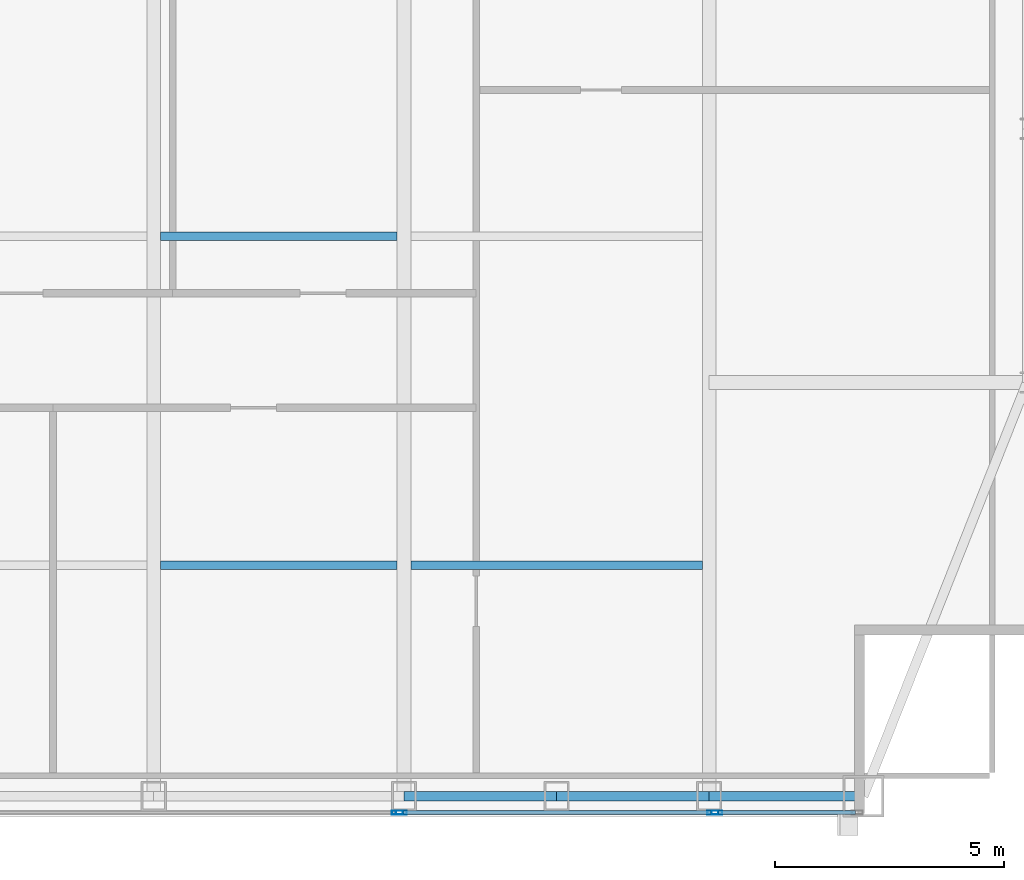
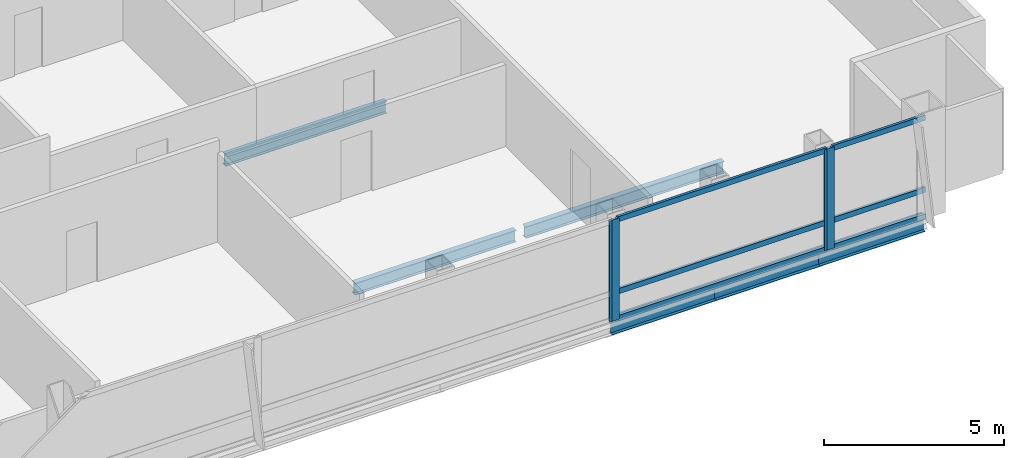
# One storey, part 11 of 25: 10 members, 6 beams, 3 elements without a shape of their own.
"""IFC4 building model written with IfcOpenShell, lengths in metres."""

import ifcopenshell
import ifcopenshell.guid

model = None  # the IFC model being written
_history = None  # IfcOwnerHistory: only IFC2X3 demands one
_inside = {}  # id of a spatial element -> (the spatial element, [elements in it])
_under = {}  # id of a project, library or spatial element -> (it, [spatial elements below it])
_declared = {}  # id of a project -> (the project, [libraries it declares])
_typed = {}  # id of a type object -> (the type object, [elements of that type])
_made_of = {}  # id of a material, layer set ... -> (it, [elements and type objects made of it])


def new_model(schema):
    """Start an empty IFC model of exactly this schema.

    Asked for "IFC4X3", IfcOpenShell would pick the latest addendum, in which some entities
    have other attributes; the version numbers below select the first issue.
    IFC2X3 requires an IfcOwnerHistory on every rooted entity: one is made here for all.
    """
    global model, _history
    if schema == "IFC4X3":
        model = ifcopenshell.file(schema_version=(4, 3, 0, 0))
    else:
        model = ifcopenshell.file(schema=schema)
    _inside.clear()
    _under.clear()
    _declared.clear()
    _typed.clear()
    _made_of.clear()
    _history = None
    if model.schema == "IFC2X3":
        org = make("IfcOrganization", Name="unknown")
        user = make(
            "IfcPersonAndOrganization",
            ThePerson=make("IfcPerson", FamilyName="unknown"),
            TheOrganization=org,
        )
        app = make(
            "IfcApplication",
            ApplicationDeveloper=org,
            Version="unknown",
            ApplicationFullName="unknown",
            ApplicationIdentifier="unknown",
        )
        _history = make(
            "IfcOwnerHistory",
            OwningUser=user,
            OwningApplication=app,
            ChangeAction="ADDED",
            CreationDate=0,
        )
    return model


def make(cls, **values):
    """One entity of the class cls with the attributes given. An attribute that is None is left unset."""
    return model.create_entity(
        cls, **{name: value for name, value in values.items() if value is not None}
    )


def rooted(cls, **values):
    """An entity with a GlobalId (a new one), such as an element, a storey or a relation."""
    return make(cls, GlobalId=ifcopenshell.guid.new(), OwnerHistory=_history, **values)


def si_unit(unit_type, name, prefix=None):
    """IfcSIUnit, for example si_unit("LENGTHUNIT", "METRE", prefix="MILLI")."""
    return make("IfcSIUnit", UnitType=unit_type, Prefix=prefix, Name=name)


def assignment(units):
    """IfcUnitAssignment: the units of a project."""
    return None if units is None else make("IfcUnitAssignment", Units=units)


def point(xyz):
    """IfcCartesianPoint."""
    return None if xyz is None else make("IfcCartesianPoint", Coordinates=xyz)


def direction(xyz):
    """IfcDirection."""
    return None if xyz is None else make("IfcDirection", DirectionRatios=xyz)


def frame(location, z_axis=None, x_axis=None):
    """IfcAxis2Placement3D, a coordinate frame: its origin and axes. An axis left out is left unset."""
    return make(
        "IfcAxis2Placement3D",
        Location=point(location),
        Axis=direction(z_axis),
        RefDirection=direction(x_axis),
    )


def frame_2d(location, x_axis=None):
    """IfcAxis2Placement2D, a coordinate frame in the plane: its origin and x axis."""
    return make(
        "IfcAxis2Placement2D", Location=point(location), RefDirection=direction(x_axis)
    )


def origin():
    """The frame at (0, 0, 0) with its axes left unset."""
    return frame((0.0, 0.0, 0.0))


def origin_2d():
    """The frame at (0, 0) in the plane with its x axis left unset."""
    return frame_2d((0.0, 0.0))


def place(relative_to, where):
    """IfcLocalPlacement: puts the frame where relative to a parent placement (None: the world)."""
    return make(
        "IfcLocalPlacement", PlacementRelTo=relative_to, RelativePlacement=where
    )


def context(
    kind, dimensions, precision=None, world=None, true_north=None, identifier=None
):
    """IfcGeometricRepresentationContext, for example the 3D "Model" context."""
    return make(
        "IfcGeometricRepresentationContext",
        ContextIdentifier=identifier,
        ContextType=kind,
        CoordinateSpaceDimension=dimensions,
        Precision=precision,
        WorldCoordinateSystem=world,
        TrueNorth=true_north,
    )


def subcontext(parent, identifier, kind, view, scale=None):
    """IfcGeometricRepresentationSubContext, for example "Body" below "Model"."""
    return make(
        "IfcGeometricRepresentationSubContext",
        ContextIdentifier=identifier,
        ContextType=kind,
        ParentContext=parent,
        TargetScale=scale,
        TargetView=view,
    )


def project(units=None, contexts=None):
    """IfcProject with its units and contexts."""
    return rooted(
        "IfcProject",
        Name="project",
        RepresentationContexts=contexts,
        UnitsInContext=assignment(units),
    )


def spatial(cls, under=None, at=None, **own):
    """A site, building, storey or space (cls), placed at a placement, below another one or the project."""
    s = rooted(cls, ObjectPlacement=at, **own)
    if under is not None:
        _under.setdefault(under.id(), (under, []))[1].append(s)
    return s


def profile(cls, at=None, kind="AREA", **sizes):
    """A parametric profile (cls). Its sizes go by their IFC names, for example OverallWidth=200.0."""
    return make(cls, ProfileType=kind, Position=at, **sizes)


def hollow_rectangle(**sizes):
    """IfcRectangleHollowProfileDef."""
    return profile("IfcRectangleHollowProfileDef", **sizes)


def i_section(**sizes):
    """IfcIShapeProfileDef."""
    return profile("IfcIShapeProfileDef", **sizes)


def extrude(swept, where, along, depth):
    """IfcExtrudedAreaSolid: the profile swept, set in the frame where, extruded along a direction by depth."""
    return make(
        "IfcExtrudedAreaSolid",
        SweptArea=swept,
        Position=where,
        ExtrudedDirection=direction(along),
        Depth=depth,
    )


def shape(context_of_items, identifier, shape_type, items):
    """IfcShapeRepresentation: the items that make up one representation, for example the "Body"."""
    return make(
        "IfcShapeRepresentation",
        ContextOfItems=context_of_items,
        RepresentationIdentifier=identifier,
        RepresentationType=shape_type,
        Items=items,
    )


def material(Name=None, Category=None):
    """IfcMaterial."""
    return make("IfcMaterial", Name=Name, Category=Category)


def material_profile(
    of_material, cross_section, Name=None, Category=None, Priority=None
):
    """IfcMaterialProfile: a cross section and its material."""
    return make(
        "IfcMaterialProfile",
        Name=Name,
        Material=of_material,
        Profile=cross_section,
        Priority=Priority,
        Category=Category,
    )


def profile_set(profiles, Name=None, composite=None):
    """IfcMaterialProfileSet."""
    return make(
        "IfcMaterialProfileSet",
        Name=Name,
        MaterialProfiles=profiles,
        CompositeProfile=composite,
    )


def made_of(thing, what):
    """Note that an element or type object is made of a material, layer set ...; save() writes the relation."""
    if what is not None:
        _made_of.setdefault(what.id(), (what, []))[1].append(thing)
    return thing


def type_object(cls, material=None, **own):
    """A type object (cls), such as IfcWallType, which elements share."""
    return made_of(rooted(cls, **own), material)


def element(
    cls,
    number,
    at=None,
    inside=None,
    cuts=None,
    type_object=None,
    material=None,
    context=None,
    identifier="Body",
    shape_type=None,
    held_by="IfcProductDefinitionShape",
    body=None,
    shapes=None,
    **own,
):
    """One element of the class cls, such as IfcWall. Its Tag is "e" and its number.

    at: its placement. inside: the storey or other place that contains it. cuts: it is an
    opening in that element (IfcRelVoidsElement). A single representation is given by context,
    identifier, shape_type and body (its items); several are given by shapes. held_by: the class
    of the entity that holds the representations. save() writes the other relations.
    """
    e = rooted(cls, Tag="e%d" % number, ObjectPlacement=at, **own)
    if body is not None:
        shapes = [shape(context, identifier, shape_type, body)]
    if shapes is not None:
        e.Representation = make(held_by, Representations=shapes)
    if inside is not None:
        _inside.setdefault(inside.id(), (inside, []))[1].append(e)
    if cuts is not None:
        rooted(
            "IfcRelVoidsElement", RelatingBuildingElement=cuts, RelatedOpeningElement=e
        )
    if type_object is not None:
        _typed.setdefault(type_object.id(), (type_object, []))[1].append(e)
    return made_of(e, material)


def aggregate(whole, parts):
    """IfcRelAggregates: a whole, such as a stair, and the parts it consists of."""
    return rooted("IfcRelAggregates", RelatingObject=whole, RelatedObjects=parts)


def save(model, path):
    """Write the relations noted so far, then the file.

    IfcRelAggregates (storeys below a building ...), IfcRelContainedInSpatialStructure (elements
    in a storey), IfcRelDefinesByType, IfcRelAssociatesMaterial and IfcRelDeclares: one each for
    every whole, place, type object, material and project.
    """
    for whole, parts in _under.values():
        aggregate(whole, parts)
    for where, things in _inside.values():
        rooted(
            "IfcRelContainedInSpatialStructure",
            RelatedElements=things,
            RelatingStructure=where,
        )
    for kind, things in _typed.values():
        rooted("IfcRelDefinesByType", RelatedObjects=things, RelatingType=kind)
    for what, things in _made_of.values():
        rooted("IfcRelAssociatesMaterial", RelatedObjects=things, RelatingMaterial=what)
    for by, libraries in _declared.values():
        rooted("IfcRelDeclares", RelatingContext=by, RelatedDefinitions=libraries)
    model.write(path)


model = new_model("IFC4")

# Units and contexts
model_context = context("Model", 3, precision=1e-05, world=origin(), true_north=direction((0.0, 1.0)))
body_context = subcontext(model_context, "Body", "Model", "MODEL_VIEW")
ifc_project = project(units=[si_unit("LENGTHUNIT", "METRE"), si_unit("AREAUNIT", "SQUARE_METRE"), si_unit("VOLUMEUNIT", "CUBIC_METRE"), si_unit("PLANEANGLEUNIT", "RADIAN"), si_unit("MASSUNIT", "GRAM", prefix="KILO")], contexts=[model_context])

# Site, building, storey
site_placement = place(None, origin())
site = spatial("IfcSite", under=ifc_project, at=site_placement, CompositionType="ELEMENT")
building_placement = place(site_placement, origin())
building = spatial("IfcBuilding", under=site, at=building_placement, Name="Khoronbel Lancet Exchange", CompositionType="ELEMENT")
storey_placement = place(building_placement, frame((0.0, 0.0, 295.0)))
storey = spatial("IfcBuildingStorey", under=building, at=storey_placement, Name="L76", CompositionType="ELEMENT", Elevation=295.0)

# Beams
ifc_material_1 = material(Name="Steel S355", Category="steel")
ifc_material_profile_1 = material_profile(ifc_material_1, i_section(OverallWidth=0.179931640625, OverallDepth=0.39990234375, WebThickness=0.008544921875, FlangeThickness=0.013427734375, at=origin_2d()), Name="IPE 400")
ifc_profile_set_1 = profile_set([ifc_material_profile_1], Name="Steel S355")
beam_type_1 = type_object("IfcBeamType", Name="BM-BJ5", PredefinedType="JOIST", material=ifc_profile_set_1)
beam_1_placement = place(storey_placement, frame((42.675048828125, 15.199951171875, -0.360107421875), z_axis=(1.0, 0.0, 0.0), x_axis=(0.0, 1.0, 0.0)))
element("IfcBeam", 1, at=beam_1_placement, inside=storey, type_object=beam_type_1, Name="Level L76 secondary composite joist J04", PredefinedType="JOIST", context=body_context, shape_type="SweptSolid", body=[
    extrude(i_section(OverallWidth=0.179931640625, OverallDepth=0.39990234375, WebThickness=0.008544921875, FlangeThickness=0.013427734375, at=origin_2d()), origin(), (0.0, 0.0, 1.0), 5.175048828125),
])
beam_2_placement = place(storey_placement, frame((48.14990234375, 15.199951171875, -0.360107421875), z_axis=(1.0, 0.0, 0.0), x_axis=(0.0, 1.0, 0.0)))
element("IfcBeam", 2, at=beam_2_placement, inside=storey, type_object=beam_type_1, Name="Level L76 secondary composite joist J05", PredefinedType="JOIST", context=body_context, shape_type="SweptSolid", body=[
    extrude(i_section(OverallWidth=0.179931640625, OverallDepth=0.39990234375, WebThickness=0.008544921875, FlangeThickness=0.013427734375, at=origin_2d()), origin(), (0.0, 0.0, 1.0), 6.375),
])
beam_3_placement = place(storey_placement, frame((42.675048828125, 22.39990234375, -0.360107421875), z_axis=(1.0, 0.0, 0.0), x_axis=(0.0, 1.0, 0.0)))
element("IfcBeam", 3, at=beam_3_placement, inside=storey, type_object=beam_type_1, Name="Level L76 secondary composite joist J09", PredefinedType="JOIST", context=body_context, shape_type="SweptSolid", body=[
    extrude(i_section(OverallWidth=0.179931640625, OverallDepth=0.39990234375, WebThickness=0.008544921875, FlangeThickness=0.013427734375, at=origin_2d()), origin(), (0.0, 0.0, 1.0), 5.175048828125),
])
ifc_material_profile_2 = material_profile(ifc_material_1, i_section(OverallWidth=0.2099609375, OverallDepth=0.550048828125, WebThickness=0.010986328125, FlangeThickness=0.01708984375, at=origin_2d()), Name="IPE 550")
ifc_profile_set_2 = profile_set([ifc_material_profile_2], Name="Steel S355")
beam_type_2 = type_object("IfcBeamType", Name="BM-BSP3", PredefinedType="SPANDREL", material=ifc_profile_set_2)
beam_4_placement = place(storey_placement, frame((48.0, 10.14990234375, -0.43505859375), z_axis=(1.0, 0.0, 0.0), x_axis=(0.0, 1.0, 0.0)))
element("IfcBeam", 4, at=beam_4_placement, inside=storey, type_object=beam_type_2, Name="Level L76 perimeter spandrel beam SP07", PredefinedType="SPANDREL", context=body_context, shape_type="SweptSolid", body=[
    extrude(i_section(OverallWidth=0.2099609375, OverallDepth=0.550048828125, WebThickness=0.010986328125, FlangeThickness=0.01708984375, at=origin_2d()), origin(), (0.0, 0.0, 1.0), 3.33740234375),
])
beam_5_placement = place(storey_placement, frame((51.33740234375, 10.14990234375, -0.43505859375), z_axis=(1.0, 0.0, 0.0), x_axis=(0.0, 1.0, 0.0)))
element("IfcBeam", 5, at=beam_5_placement, inside=storey, type_object=beam_type_2, Name="Level L76 perimeter spandrel beam SP08", PredefinedType="SPANDREL", context=body_context, shape_type="SweptSolid", body=[
    extrude(i_section(OverallWidth=0.2099609375, OverallDepth=0.550048828125, WebThickness=0.010986328125, FlangeThickness=0.01708984375, at=origin_2d()), origin(), (0.0, 0.0, 1.0), 3.337646484375),
])
beam_6_placement = place(storey_placement, frame((54.675048828125, 10.14990234375, -0.43505859375), z_axis=(1.0, 0.0, 0.0), x_axis=(0.0, 1.0, 0.0)))
element("IfcBeam", 6, at=beam_6_placement, inside=storey, type_object=beam_type_2, Name="Level L76 perimeter spandrel beam SP09", PredefinedType="SPANDREL", context=body_context, shape_type="SweptSolid", body=[
    extrude(i_section(OverallWidth=0.2099609375, OverallDepth=0.550048828125, WebThickness=0.010986328125, FlangeThickness=0.01708984375, at=origin_2d()), origin(), (0.0, 0.0, 1.0), 3.375),
])

# Curtain wall, member
ifc_material_2 = material(Name="Low-E Solar Control Insulating Glass", Category="glass")
curtain_wall_type = type_object("IfcCurtainWallType", Name="CW-3", PredefinedType="NOTDEFINED", material=ifc_material_2)
curtain_wall_1_placement = place(storey_placement, origin())
curtain_wall_1 = element("IfcCurtainWall", 7, at=curtain_wall_1_placement, inside=storey, type_object=curtain_wall_type, Name="Unitised curtain wall CW-L76-SCV", PredefinedType="NOTDEFINED")
ifc_material_3 = material(Name="Bronze-Anodised Aluminium 6063-T6", Category="aluminium")
ifc_material_profile_3 = material_profile(ifc_material_3, hollow_rectangle(XDim=0.0849609375, YDim=0.239990234375, WallThickness=0.006103515625, at=origin_2d()), Name="ALU MULLION 85x240")
ifc_profile_set_3 = profile_set([ifc_material_profile_3], Name="Bronze-Anodised Aluminium 6063-T6")
member_type_1 = type_object("IfcMemberType", Name="MEM-CWM1", PredefinedType="MULLION", material=ifc_profile_set_3)
member_1_placement = place(storey_placement, frame((47.857421875, 9.7900390625, 0.0), z_axis=(0.0, 0.0, 1.0), x_axis=(0.0, 1.0, 0.0)))
member_1 = element("IfcMember", 8, at=member_1_placement, type_object=member_type_1, Name="CW3 mullion 3", PredefinedType="MULLION", context=body_context, shape_type="SweptSolid", body=[
    extrude(hollow_rectangle(XDim=0.0849609375, YDim=0.239990234375, WallThickness=0.006103515625, at=origin_2d()), origin(), (0.0, 0.0, 1.0), 3.43994140625),
])
aggregate(curtain_wall_1, [member_1])

# Curtain wall, members
curtain_wall_2_placement = place(storey_placement, origin())
curtain_wall_2 = element("IfcCurtainWall", 9, at=curtain_wall_2_placement, inside=storey, type_object=curtain_wall_type, Name="Unitised curtain wall CW-L76-SEB", PredefinedType="NOTDEFINED")
member_2_placement = place(storey_placement, frame((47.9423828125, 9.7900390625, 0.0), z_axis=(0.0, 0.0, 1.0), x_axis=(0.0, 1.0, 0.0)))
member_2 = element("IfcMember", 10, at=member_2_placement, type_object=member_type_1, Name="CW3 mullion 1", PredefinedType="MULLION", context=body_context, shape_type="SweptSolid", body=[
    extrude(hollow_rectangle(XDim=0.0849609375, YDim=0.239990234375, WallThickness=0.006103515625, at=origin_2d()), origin(), (0.0, 0.0, 1.0), 3.43994140625),
])
member_3_placement = place(storey_placement, frame((54.757568359375, 9.7900390625, 0.0), z_axis=(0.0, 0.0, 1.0), x_axis=(0.0, 1.0, 0.0)))
member_3 = element("IfcMember", 11, at=member_3_placement, type_object=member_type_1, Name="CW3 mullion 2", PredefinedType="MULLION", context=body_context, shape_type="SweptSolid", body=[
    extrude(hollow_rectangle(XDim=0.0849609375, YDim=0.239990234375, WallThickness=0.006103515625, at=origin_2d()), origin(), (0.0, 0.0, 1.0), 3.43994140625),
])

# Curtain wall, member
curtain_wall_3_placement = place(storey_placement, origin())
curtain_wall_3 = element("IfcCurtainWall", 12, at=curtain_wall_3_placement, inside=storey, type_object=curtain_wall_type, Name="Unitised curtain wall CW-L76-SEV", PredefinedType="NOTDEFINED")
member_4_placement = place(storey_placement, frame((54.842529296875, 9.7900390625, 0.0), z_axis=(0.0, 0.0, 1.0), x_axis=(0.0, 1.0, 0.0)))
member_4 = element("IfcMember", 13, at=member_4_placement, type_object=member_type_1, Name="CW3 mullion 1", PredefinedType="MULLION", context=body_context, shape_type="SweptSolid", body=[
    extrude(hollow_rectangle(XDim=0.0849609375, YDim=0.239990234375, WallThickness=0.006103515625, at=origin_2d()), origin(), (0.0, 0.0, 1.0), 3.43994140625),
])

# Member
ifc_material_profile_4 = material_profile(ifc_material_3, hollow_rectangle(XDim=0.0849609375, YDim=0.179931640625, WallThickness=0.0048828125, at=origin_2d()), Name="ALU TRANSOM 85x180")
ifc_profile_set_4 = profile_set([ifc_material_profile_4], Name="Bronze-Anodised Aluminium 6063-T6")
member_type_2 = type_object("IfcMemberType", Name="MEM-CWT1", PredefinedType="USERDEFINED", material=ifc_profile_set_4)
member_5_placement = place(storey_placement, frame((47.985107421875, 9.7900390625, 0.04248046875), z_axis=(1.0, 0.0, 0.0), x_axis=(0.0, 1.0, 0.0)))
member_5 = element("IfcMember", 14, at=member_5_placement, type_object=member_type_2, Name="CW3 transom 1.1", ObjectType="TRANSOM", PredefinedType="USERDEFINED", context=body_context, shape_type="SweptSolid", body=[
    extrude(hollow_rectangle(XDim=0.0849609375, YDim=0.179931640625, WallThickness=0.0048828125, at=origin_2d()), origin(), (0.0, 0.0, 1.0), 6.72998046875),
])

member_6_placement = place(storey_placement, frame((47.985107421875, 9.7900390625, 0.949951171875), z_axis=(1.0, 0.0, 0.0), x_axis=(0.0, 1.0, 0.0)))
member_6 = element("IfcMember", 15, at=member_6_placement, type_object=member_type_2, Name="CW3 transom 1.2", ObjectType="TRANSOM", PredefinedType="USERDEFINED", context=body_context, shape_type="SweptSolid", body=[
    extrude(hollow_rectangle(XDim=0.0849609375, YDim=0.179931640625, WallThickness=0.0048828125, at=origin_2d()), origin(), (0.0, 0.0, 1.0), 6.72998046875),
])

member_7_placement = place(storey_placement, frame((47.985107421875, 9.7900390625, 3.3974609375), z_axis=(1.0, 0.0, 0.0), x_axis=(0.0, 1.0, 0.0)))
member_7 = element("IfcMember", 16, at=member_7_placement, type_object=member_type_2, Name="CW3 transom 1.3", ObjectType="TRANSOM", PredefinedType="USERDEFINED", context=body_context, shape_type="SweptSolid", body=[
    extrude(hollow_rectangle(XDim=0.0849609375, YDim=0.179931640625, WallThickness=0.0048828125, at=origin_2d()), origin(), (0.0, 0.0, 1.0), 6.72998046875),
])

aggregate(curtain_wall_2, [member_2, member_3, member_5, member_6, member_7])

member_8_placement = place(storey_placement, frame((54.885009765625, 9.7900390625, 0.04248046875), z_axis=(1.0, 0.0, 0.0), x_axis=(0.0, 1.0, 0.0)))
member_8 = element("IfcMember", 17, at=member_8_placement, type_object=member_type_2, Name="CW3 transom 1.1", ObjectType="TRANSOM", PredefinedType="USERDEFINED", context=body_context, shape_type="SweptSolid", body=[
    extrude(hollow_rectangle(XDim=0.0849609375, YDim=0.179931640625, WallThickness=0.0048828125, at=origin_2d()), origin(), (0.0, 0.0, 1.0), 2.989990234375),
])

member_9_placement = place(storey_placement, frame((54.885009765625, 9.7900390625, 0.949951171875), z_axis=(1.0, 0.0, 0.0), x_axis=(0.0, 1.0, 0.0)))
member_9 = element("IfcMember", 18, at=member_9_placement, type_object=member_type_2, Name="CW3 transom 1.2", ObjectType="TRANSOM", PredefinedType="USERDEFINED", context=body_context, shape_type="SweptSolid", body=[
    extrude(hollow_rectangle(XDim=0.0849609375, YDim=0.179931640625, WallThickness=0.0048828125, at=origin_2d()), origin(), (0.0, 0.0, 1.0), 2.989990234375),
])

member_10_placement = place(storey_placement, frame((54.885009765625, 9.7900390625, 3.3974609375), z_axis=(1.0, 0.0, 0.0), x_axis=(0.0, 1.0, 0.0)))
member_10 = element("IfcMember", 19, at=member_10_placement, type_object=member_type_2, Name="CW3 transom 1.3", ObjectType="TRANSOM", PredefinedType="USERDEFINED", context=body_context, shape_type="SweptSolid", body=[
    extrude(hollow_rectangle(XDim=0.0849609375, YDim=0.179931640625, WallThickness=0.0048828125, at=origin_2d()), origin(), (0.0, 0.0, 1.0), 2.989990234375),
])

aggregate(curtain_wall_3, [member_4, member_8, member_9, member_10])

save(model, "model.ifc")
